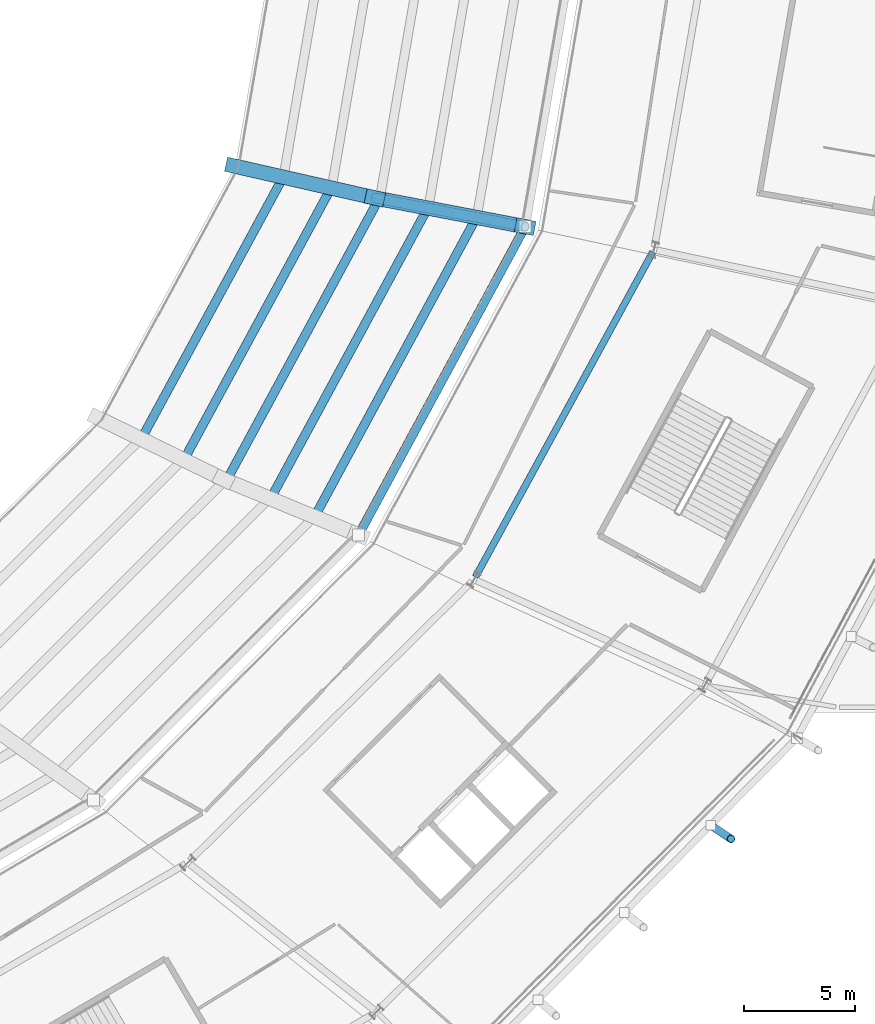
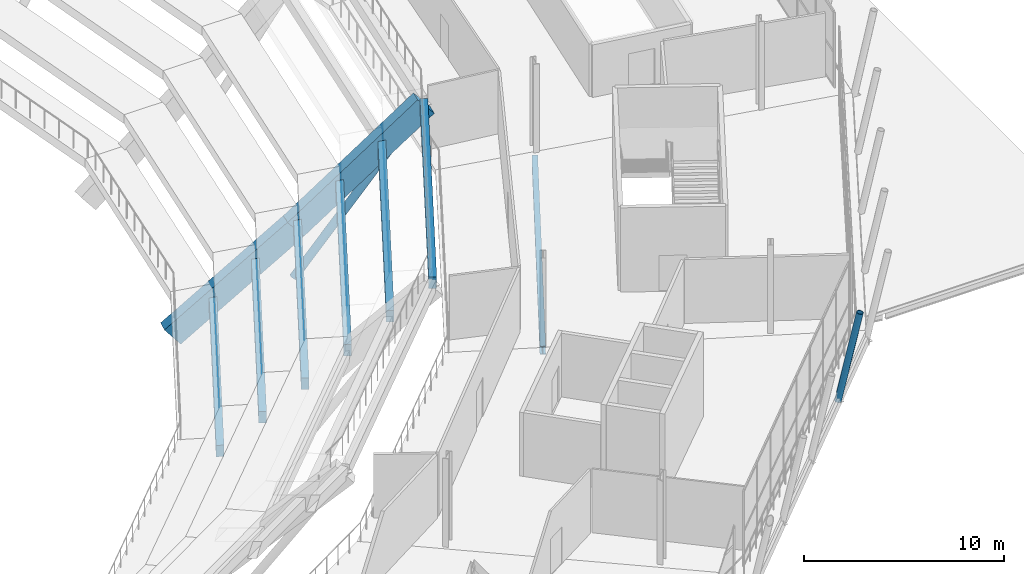
# One storey, part 41 of 126: 9 beams, 2 members.
"""IFC4 building model written with IfcOpenShell, lengths in metres."""

from ifc_helpers import new_model, si_unit, direction, frame, origin, origin_2d, place, context, subcontext, project, spatial, rectangle, hollow_circle, i_section, extrude, material, material_profile, profile_set, type_object, element, save


model = new_model("IFC4")

# Units and contexts
model_context = context("Model", 3, precision=1e-05, world=origin(), true_north=direction((0.0, 1.0)))
body_context = subcontext(model_context, "Body", "Model", "MODEL_VIEW")
ifc_project = project(units=[si_unit("LENGTHUNIT", "METRE"), si_unit("AREAUNIT", "SQUARE_METRE"), si_unit("VOLUMEUNIT", "CUBIC_METRE"), si_unit("PLANEANGLEUNIT", "RADIAN"), si_unit("MASSUNIT", "GRAM", prefix="KILO")], contexts=[model_context])

# Site, building, storey
site_placement = place(None, origin())
site = spatial("IfcSite", under=ifc_project, at=site_placement, CompositionType="ELEMENT")
building_placement = place(site_placement, origin())
building = spatial("IfcBuilding", under=site, at=building_placement, Name="Zlatoyarsky Gate Stadium", CompositionType="ELEMENT")
storey_placement = place(building_placement, frame((0.0, 0.0, 20.800048828125)))
storey = spatial("IfcBuildingStorey", under=building, at=storey_placement, Name="L04", CompositionType="ELEMENT", Elevation=20.800048828125)

# Beams
ifc_material_1 = material(Name="Concrete C40/50", Category="concrete")
ifc_material_profile_1 = material_profile(ifc_material_1, rectangle(XDim=0.39990234375, YDim=0.699951171875, at=origin_2d()), Name="RC BEAM 400X700")
ifc_profile_set_1 = profile_set([ifc_material_profile_1], Name="Concrete C40/50")
beam_type_1 = type_object("IfcBeamType", Name="CONCRETE FLOOR BEAM 400X700", PredefinedType="BEAM", material=ifc_profile_set_1)
beam_1_placement = place(storey_placement, frame((166.256591796875, 55.712890625, -5.31005859375), z_axis=(0.476295687654, 0.879285174402, 0.0), x_axis=(-0.879285174402, 0.476295687654, 0.0)))
element("IfcBeam", 1, at=beam_1_placement, inside=storey, type_object=beam_type_1, Name="Upper bowl step tie beam 22.1", PredefinedType="BEAM", context=body_context, shape_type="SweptSolid", body=[
    extrude(rectangle(XDim=0.39990234375, YDim=0.699951171875, at=origin_2d()), origin(), (0.0, 0.0, 1.0), 13.171875),
])
beam_2_placement = place(storey_placement, frame((168.205322265625, 54.837890625, -3.41015625), z_axis=(0.476066487762, 0.879409289938, 0.0), x_axis=(-0.879409289938, 0.476066487762, 0.0)))
element("IfcBeam", 2, at=beam_2_placement, inside=storey, type_object=beam_type_1, Name="Upper bowl step tie beam 22.2", PredefinedType="BEAM", context=body_context, shape_type="SweptSolid", body=[
    extrude(rectangle(XDim=0.39990234375, YDim=0.699951171875, at=origin_2d()), origin(), (0.0, 0.0, 1.0), 13.64990234375),
])
beam_3_placement = place(storey_placement, frame((170.15380859375, 53.962890625, -1.510009765625), z_axis=(0.475860004983, 0.879521037644, 0.0), x_axis=(-0.879521037644, 0.475860004983, 0.0)))
element("IfcBeam", 3, at=beam_3_placement, inside=storey, type_object=beam_type_1, Name="Upper bowl step tie beam 22.3", PredefinedType="BEAM", context=body_context, shape_type="SweptSolid", body=[
    extrude(rectangle(XDim=0.39990234375, YDim=0.699951171875, at=origin_2d()), origin(), (0.0, 0.0, 1.0), 14.1279296875),
])
beam_4_placement = place(storey_placement, frame((172.102294921875, 53.087890625, 0.389892578125), z_axis=(0.475685883609, 0.879615222774, 0.0), x_axis=(-0.879615222774, 0.475685883609, 0.0)))
element("IfcBeam", 4, at=beam_4_placement, inside=storey, type_object=beam_type_1, Name="Upper bowl step tie beam 22.4", PredefinedType="BEAM", context=body_context, shape_type="SweptSolid", body=[
    extrude(rectangle(XDim=0.39990234375, YDim=0.699951171875, at=origin_2d()), origin(), (0.0, 0.0, 1.0), 14.606201171875),
])
beam_5_placement = place(storey_placement, frame((174.05078125, 52.212890625, 2.2900390625), z_axis=(0.475497738566, 0.879716943464, 0.0), x_axis=(-0.879716943464, 0.475497738566, 0.0)))
element("IfcBeam", 5, at=beam_5_placement, inside=storey, type_object=beam_type_1, Name="Upper bowl step tie beam 22.5", PredefinedType="BEAM", context=body_context, shape_type="SweptSolid", body=[
    extrude(rectangle(XDim=0.39990234375, YDim=0.699951171875, at=origin_2d()), origin(), (0.0, 0.0, 1.0), 15.08447265625),
])
beam_6_placement = place(storey_placement, frame((175.99951171875, 51.337890625, 4.18994140625), z_axis=(0.475339838788, 0.879802271912, 0.0), x_axis=(-0.879802271912, 0.475339838788, 0.0)))
element("IfcBeam", 6, at=beam_6_placement, inside=storey, type_object=beam_type_1, Name="Upper bowl step tie beam 22.6", PredefinedType="BEAM", context=body_context, shape_type="SweptSolid", body=[
    extrude(rectangle(XDim=0.39990234375, YDim=0.699951171875, at=origin_2d()), origin(), (0.0, 0.0, 1.0), 15.5625),
])
ifc_material_2 = material(Name="Precast concrete C40/50", Category="concrete")
ifc_material_profile_2 = material_profile(ifc_material_2, rectangle(XDim=0.64990234375, YDim=1.35009765625, at=origin_2d()), Name="PC RAKER 650X1350")
ifc_profile_set_2 = profile_set([ifc_material_profile_2], Name="Precast concrete C40/50")
beam_type_2 = type_object("IfcBeamType", Name="PRECAST UPPER BOWL RAKER 650X1350", PredefinedType="USERDEFINED", material=ifc_profile_set_2)
beam_7_placement = place(storey_placement, frame((170.404296875, 67.83544921875, -6.949951171875), z_axis=(0.756966430115, -0.171596325048, 0.630520836221), x_axis=(0.221080190505, 0.97525563283, 0.0)))
element("IfcBeam", 7, at=beam_7_placement, inside=storey, type_object=beam_type_2, Name="Upper bowl radial raker 23 inner", ObjectType="RAKER", PredefinedType="USERDEFINED", context=body_context, shape_type="SweptSolid", body=[
    extrude(rectangle(XDim=0.64990234375, YDim=1.35009765625, at=origin_2d()), origin(), (0.0, 0.0, 1.0), 8.294677734375),
])
beam_8_placement = place(storey_placement, frame((176.68310546875, 66.412109375, -1.719970703125), z_axis=(0.745217452592, -0.142644533696, 0.651385819127), x_axis=(0.188000209644, 0.982168988094, 0.0)))
element("IfcBeam", 8, at=beam_8_placement, inside=storey, type_object=beam_type_2, Name="Upper bowl radial raker 23 outer", ObjectType="RAKER", PredefinedType="USERDEFINED", context=body_context, shape_type="SweptSolid", body=[
    extrude(rectangle(XDim=0.64990234375, YDim=1.35009765625, at=origin_2d()), origin(), (0.0, 0.0, 1.0), 9.07275390625),
])

# Members
ifc_material_3 = material(Name="Steel S355", Category="steel")
ifc_material_profile_3 = material_profile(ifc_material_3, hollow_circle(Radius=0.228515625, WallThickness=0.02490234375, at=origin_2d()), Name="CHS 457X25")
ifc_profile_set_3 = profile_set([ifc_material_profile_3], Name="Steel S355")
member_type_1 = type_object("IfcMemberType", Name="STEEL BACKSPAN TIE STRUT CHS 457X25", PredefinedType="STRUT", material=ifc_profile_set_3)
member_1_placement = place(storey_placement, frame((176.68310546875, 66.412109375, -4.85009765625), z_axis=(0.595036116931, -0.113897828261, 0.795587395743), x_axis=(0.188000209644, 0.982168988094, 0.0)))
element("IfcMember", 9, at=member_1_placement, inside=storey, type_object=member_type_1, Name="Upper tier outer raker prop strut 23", PredefinedType="STRUT", context=body_context, shape_type="SweptSolid", body=[
    extrude(hollow_circle(Radius=0.228515625, WallThickness=0.02490234375, at=origin_2d()), origin(), (0.0, 0.0, 1.0), 11.36279296875),
])
ifc_material_profile_4 = material_profile(ifc_material_3, hollow_circle(Radius=0.177734375, WallThickness=0.02001953125, at=origin_2d()), Name="CHS 355.6X20")
ifc_profile_set_4 = profile_set([ifc_material_profile_4], Name="Steel S355")
member_type_2 = type_object("IfcMemberType", Name="STEEL LEANING RIB RING STRUT CHS 355.6X20", PredefinedType="STRUT", material=ifc_profile_set_4)
member_2_placement = place(storey_placement, frame((191.78662109375, 38.192138671875, -0.550048828125), z_axis=(0.164994713698, -0.110231072388, 0.980115225436), x_axis=(0.555518421431, 0.831504229364, 0.0)))
element("IfcMember", 10, at=member_2_placement, inside=storey, type_object=member_type_2, Name="Outward-leaning bowl louvre fin rib L04 21-3", PredefinedType="STRUT", context=body_context, shape_type="SweptSolid", body=[
    extrude(hollow_circle(Radius=0.177734375, WallThickness=0.02001953125, at=origin_2d()), origin(), (0.0, 0.0, 1.0), 5.55029296875),
])

# Beam
ifc_material_profile_5 = material_profile(ifc_material_3, i_section(OverallWidth=0.300048828125, OverallDepth=0.5, WebThickness=0.014404296875, FlangeThickness=0.028076171875, FilletRadius=0.027099609375, at=origin_2d()), Name="HEB 500")
ifc_profile_set_5 = profile_set([ifc_material_profile_5], Name="Steel S355")
beam_type_3 = type_object("IfcBeamType", Name="STEEL PRIMARY GIRDER HEB 500", PredefinedType="BEAM", material=ifc_profile_set_5)
beam_9_placement = place(storey_placement, frame((181.20556640625, 49.355224609375, -0.550048828125), z_axis=(0.478915800408, 0.877860840976, 0.0), x_axis=(-0.877860840976, 0.478915800408, 0.0)))
element("IfcBeam", 11, at=beam_9_placement, inside=storey, type_object=beam_type_3, Name="Beam G-HEB500 BM-L04-CRB-22", PredefinedType="BEAM", context=body_context, shape_type="SweptSolid", body=[
    extrude(i_section(OverallWidth=0.300048828125, OverallDepth=0.5, WebThickness=0.014404296875, FlangeThickness=0.028076171875, FilletRadius=0.027099609375, at=origin_2d()), origin(), (0.0, 0.0, 1.0), 16.656494140625),
])

save(model, "model.ifc")
